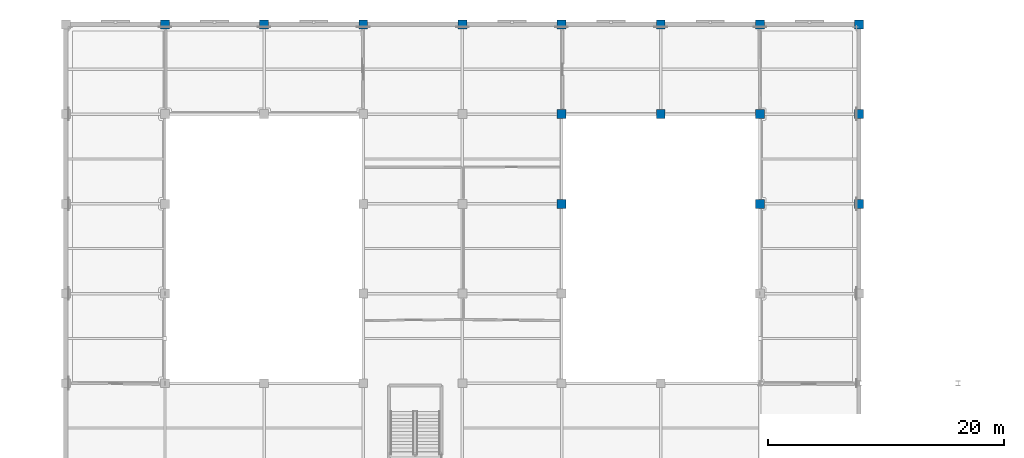
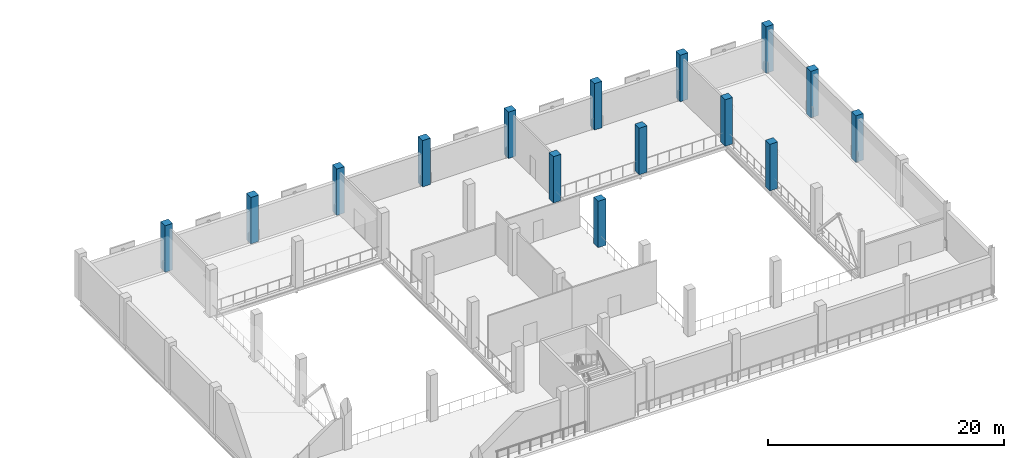
# One storey, part 9 of 51: 15 columns.
"""IFC4 building model written with IfcOpenShell, lengths in metres."""

from ifc_helpers import new_model, si_unit, direction, frame, origin, origin_2d, place, context, subcontext, project, spatial, rectangle, extrude, material, material_profile, profile_set, type_object, element, save


model = new_model("IFC4")

# Units and contexts
model_context = context("Model", 3, precision=1e-05, world=origin(), true_north=direction((0.0, 1.0)))
body_context = subcontext(model_context, "Body", "Model", "MODEL_VIEW")
ifc_project = project(units=[si_unit("LENGTHUNIT", "METRE"), si_unit("AREAUNIT", "SQUARE_METRE"), si_unit("VOLUMEUNIT", "CUBIC_METRE"), si_unit("PLANEANGLEUNIT", "RADIAN"), si_unit("MASSUNIT", "GRAM", prefix="KILO")], contexts=[model_context])

# Site, building, storey
site_placement = place(None, origin())
site = spatial("IfcSite", under=ifc_project, at=site_placement, CompositionType="ELEMENT")
building_placement = place(site_placement, origin())
building = spatial("IfcBuilding", under=site, at=building_placement, Name="Zuvorla Pavilion Media Centre", CompositionType="ELEMENT")
storey_placement = place(building_placement, frame((0.0, 0.0, 4.800048828125)))
storey = spatial("IfcBuildingStorey", under=building, at=storey_placement, Name="L01", CompositionType="ELEMENT", Elevation=4.800048828125)

# Columns
ifc_material = material(Name="Concrete C40/50", Category="concrete")
ifc_material_profile = material_profile(ifc_material, rectangle(XDim=0.75, YDim=0.75, at=origin_2d()), Name="RC 750x750")
ifc_profile_set = profile_set([ifc_material_profile], Name="Concrete C40/50")
column_type = type_object("IfcColumnType", Name="COL-RC750", PredefinedType="COLUMN", material=ifc_profile_set)
for number, where, z_axis, x_axis, name in (
    (1, (108.800048828125, 104.800048828125, 0.0), (0.0, 0.0, 1.0), (1.0, 0.0, 0.0), "L01 column C02 975"),
    (2, (125.60009765625, 104.800048828125, 0.0), (0.0, 0.0, 1.0), (1.0, 0.0, 0.0), "L01 column C02 978"),
    (3, (134.0, 104.800048828125, 0.0), (0.0, 0.0, 1.0), (1.0, 0.0, 0.0), "L01 column C02 981"),
    (4, (108.800048828125, 112.39990234375, 0.0), (0.0, 0.0, 1.0), (1.0, 0.0, 0.0), "L01 column C02 1007"),
    (5, (117.199951171875, 112.39990234375, 0.0), (0.0, 0.0, 1.0), (1.0, 0.0, 0.0), "L01 column C02 1010"),
    (6, (125.60009765625, 112.39990234375, 0.0), (0.0, 0.0, 1.0), (1.0, 0.0, 0.0), "L01 column C02 1013"),
    (7, (134.0, 112.39990234375, 0.0), (0.0, 0.0, 1.0), (1.0, 0.0, 0.0), "L01 column C02 1016"),
    (8, (75.199951171875, 120.0, 0.0), (0.0, 0.0, 1.0), (1.0, 0.0, 0.0), "L01 column C02 1030"),
    (9, (83.60009765625, 120.0, 0.0), (0.0, 0.0, 1.0), (1.0, 0.0, 0.0), "L01 column C02 1033"),
    (10, (92.0, 120.0, 0.0), (0.0, 0.0, 1.0), (1.0, 0.0, 0.0), "L01 column C02 1036"),
    (11, (100.39990234375, 120.0, 0.0), (0.0, 0.0, 1.0), (1.0, 0.0, 0.0), "L01 column C02 1039"),
    (12, (108.800048828125, 120.0, 0.0), (0.0, 0.0, 1.0), (1.0, 0.0, 0.0), "L01 column C02 1042"),
    (13, (117.199951171875, 120.0, 0.0), (0.0, 0.0, 1.0), (1.0, 0.0, 0.0), "L01 column C02 1045"),
    (14, (125.60009765625, 120.0, 0.0), (0.0, 0.0, 1.0), (1.0, 0.0, 0.0), "L01 column C02 1048"),
    (15, (134.0, 120.0, 0.0), (0.0, 0.0, 1.0), (1.0, 0.0, 0.0), "L01 column C02 1051"),
):
    element("IfcColumn", number, at=place(storey_placement, frame(where, z_axis=z_axis, x_axis=x_axis)), inside=storey, type_object=column_type, Name=name, PredefinedType="COLUMN", context=body_context, shape_type="SweptSolid", body=[
        extrude(rectangle(XDim=0.75, YDim=0.75, at=origin_2d()), origin(), (0.0, 0.0, 1.0), 4.800048828125),
    ])

save(model, "model.ifc")
